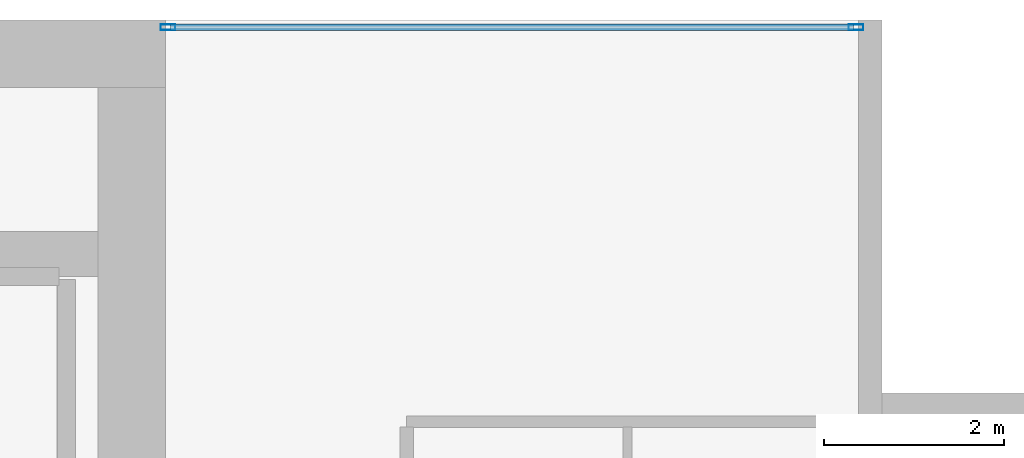
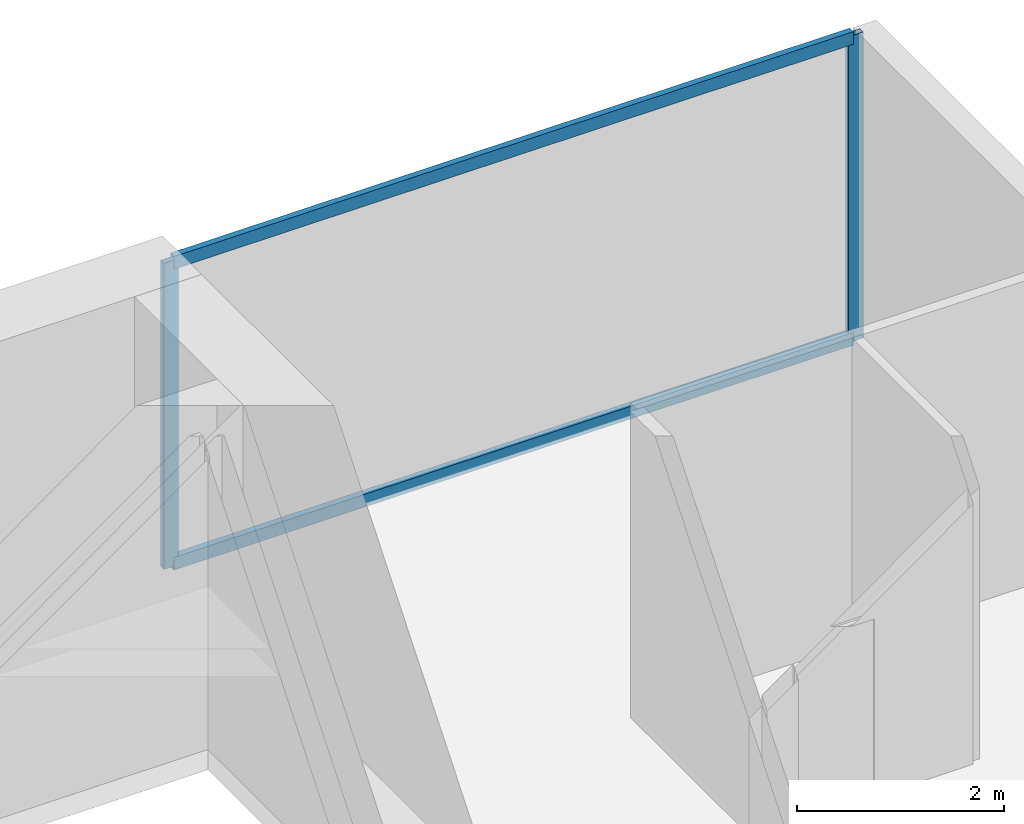
# One storey, part 25 of 32: 4 members, 1 element without a shape of its own.
"""IFC4 building model written with IfcOpenShell, lengths in metres."""

from ifc_helpers import new_model, si_unit, direction, frame, origin, origin_2d, place, context, subcontext, project, spatial, hollow_rectangle, extrude, material, layer, layer_set, material_profile, profile_set, type_object, element, aggregate, save


model = new_model("IFC4")

# Units and contexts
model_context = context("Model", 3, precision=1e-05, world=origin(), true_north=direction((0.0, 1.0)))
body_context = subcontext(model_context, "Body", "Model", "MODEL_VIEW")
ifc_project = project(units=[si_unit("LENGTHUNIT", "METRE"), si_unit("AREAUNIT", "SQUARE_METRE"), si_unit("VOLUMEUNIT", "CUBIC_METRE"), si_unit("PLANEANGLEUNIT", "RADIAN"), si_unit("MASSUNIT", "GRAM", prefix="KILO")], contexts=[model_context])

# Site, building, storey
site_placement = place(None, origin())
site = spatial("IfcSite", under=ifc_project, at=site_placement, CompositionType="ELEMENT")
building_placement = place(site_placement, origin())
building = spatial("IfcBuilding", under=site, at=building_placement, Name="Maruvema Waterfront Hotel and Observation Tower", CompositionType="ELEMENT")
storey_placement = place(building_placement, frame((0.0, 0.0, 219.800048828125)))
storey = spatial("IfcBuildingStorey", under=building, at=storey_placement, Name="L54", CompositionType="ELEMENT", Elevation=219.800048828125)

# Curtain wall, members
ifc_material_1 = material(Name="Anodised bronze aluminium and solar-control low-E IGU", Category="aluminium")
ifc_layer = layer(ifc_material_1, 0.159912109375, Name="Zone 2 Amber Inner Thermal Curtain Wall System CW-03")
ifc_layer_set = layer_set([ifc_layer], Name="Anodised bronze aluminium and solar-control low-E IGU")
curtain_wall_type = type_object("IfcCurtainWallType", Name="Zone 2 Amber Inner Thermal Curtain Wall System CW-03", PredefinedType="USERDEFINED", material=ifc_layer_set)
curtain_wall_placement = place(storey_placement, origin())
curtain_wall = element("IfcCurtainWall", 1, at=curtain_wall_placement, inside=storey, type_object=curtain_wall_type, Name="L54 Curtain Wall CW-L54-NE", ObjectType="UNITISED CURTAIN WALL", PredefinedType="USERDEFINED")
ifc_material_2 = material(Name="Anodised architectural bronze aluminium", Category="aluminium")
ifc_material_profile_1 = material_profile(ifc_material_2, hollow_rectangle(XDim=0.070068359375, YDim=0.14990234375, WallThickness=0.00390625, at=origin_2d()), Name="ALU-T70x150")
ifc_profile_set_1 = profile_set([ifc_material_profile_1], Name="Anodised architectural bronze aluminium")
member_type_1 = type_object("IfcMemberType", Name="Curtain Wall Horizontal Transom ALU-T70x150", PredefinedType="USERDEFINED", material=ifc_profile_set_1)
member_1_placement = place(storey_placement, frame((58.0400390625, 53.919921875, 0.030029296875), z_axis=(-1.0, 0.0, 0.0), x_axis=(0.0, -1.0, 0.0)))
member_1 = element("IfcMember", 2, at=member_1_placement, type_object=member_type_1, Name="CW-03 transom 1.1", ObjectType="TRANSOM", PredefinedType="USERDEFINED", context=body_context, shape_type="SweptSolid", body=[
    extrude(hollow_rectangle(XDim=0.070068359375, YDim=0.14990234375, WallThickness=0.00390625, at=origin_2d()), origin(), (0.0, 0.0, 1.0), 7.580078125),
])
member_2_placement = place(storey_placement, frame((58.0400390625, 53.919921875, 3.579833984375), z_axis=(-1.0, 0.0, 0.0), x_axis=(0.0, -1.0, 0.0)))
member_2 = element("IfcMember", 3, at=member_2_placement, type_object=member_type_1, Name="CW-03 transom 1.2", ObjectType="TRANSOM", PredefinedType="USERDEFINED", context=body_context, shape_type="SweptSolid", body=[
    extrude(hollow_rectangle(XDim=0.070068359375, YDim=0.14990234375, WallThickness=0.00390625, at=origin_2d()), origin(), (0.0, 0.0, 1.0), 7.580078125),
])
ifc_material_3 = material(Name="Anodised architectural bronze aluminium", Category="aluminium")
ifc_material_profile_2 = material_profile(ifc_material_3, hollow_rectangle(XDim=0.06494140625, YDim=0.1650390625, WallThickness=0.00390625, at=origin_2d()), Name="ALU-M65x165")
ifc_profile_set_2 = profile_set([ifc_material_profile_2], Name="Anodised architectural bronze aluminium")
member_type_2 = type_object("IfcMemberType", Name="Curtain Wall Primary Mullion ALU-M65x165", PredefinedType="MULLION", material=ifc_profile_set_2)
member_3_placement = place(storey_placement, frame((58.070068359375, 53.919921875, 0.0), z_axis=(0.0, 0.0, 1.0), x_axis=(0.0, -1.0, 0.0)))
member_3 = element("IfcMember", 4, at=member_3_placement, type_object=member_type_2, Name="CW-03 mullion 1", PredefinedType="MULLION", context=body_context, shape_type="SweptSolid", body=[
    extrude(hollow_rectangle(XDim=0.06494140625, YDim=0.1650390625, WallThickness=0.00390625, at=origin_2d()), origin(), (0.0, 0.0, 1.0), 3.60986328125),
])
member_4_placement = place(storey_placement, frame((50.429931640625, 53.919921875, 0.0), z_axis=(0.0, 0.0, 1.0), x_axis=(0.0, -1.0, 0.0)))
member_4 = element("IfcMember", 5, at=member_4_placement, type_object=member_type_2, Name="CW-03 mullion 2", PredefinedType="MULLION", context=body_context, shape_type="SweptSolid", body=[
    extrude(hollow_rectangle(XDim=0.06494140625, YDim=0.1650390625, WallThickness=0.00390625, at=origin_2d()), origin(), (0.0, 0.0, 1.0), 3.60986328125),
])
aggregate(curtain_wall, [member_3, member_4, member_1, member_2])

save(model, "model.ifc")
